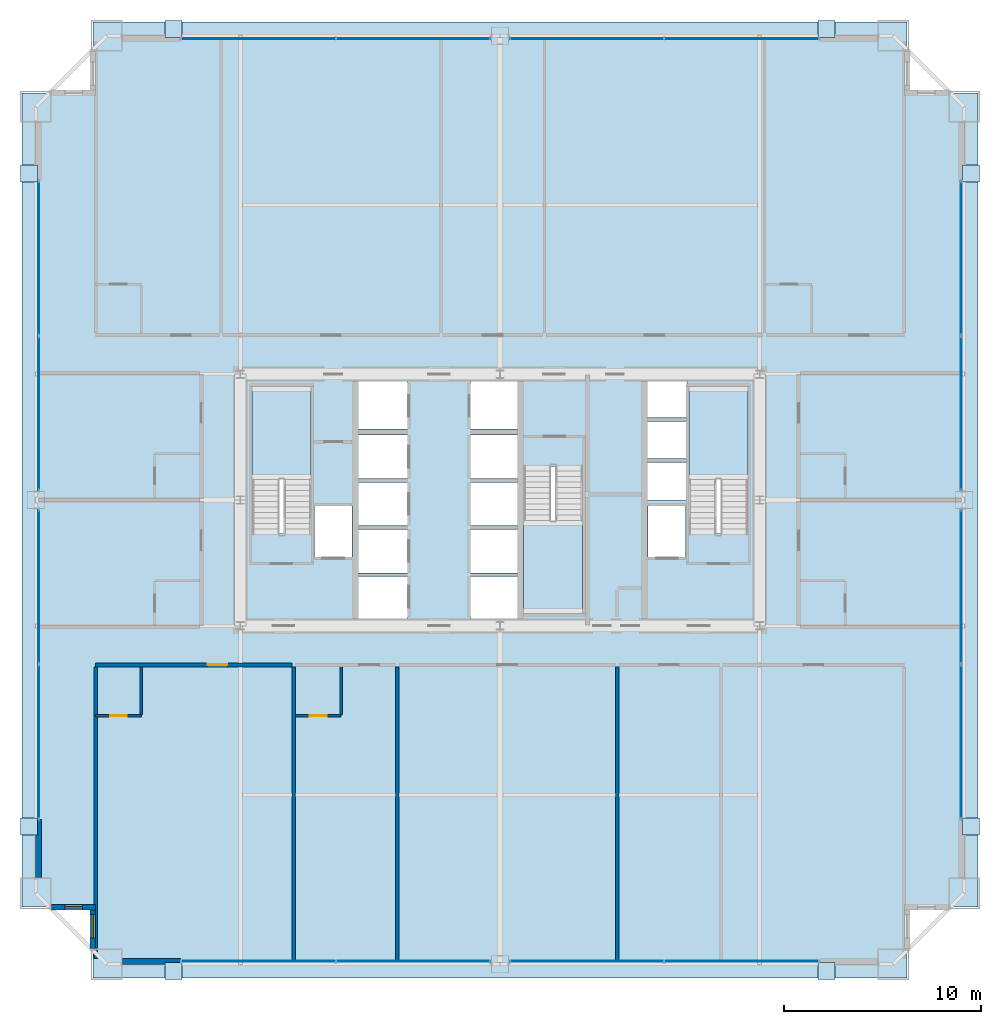
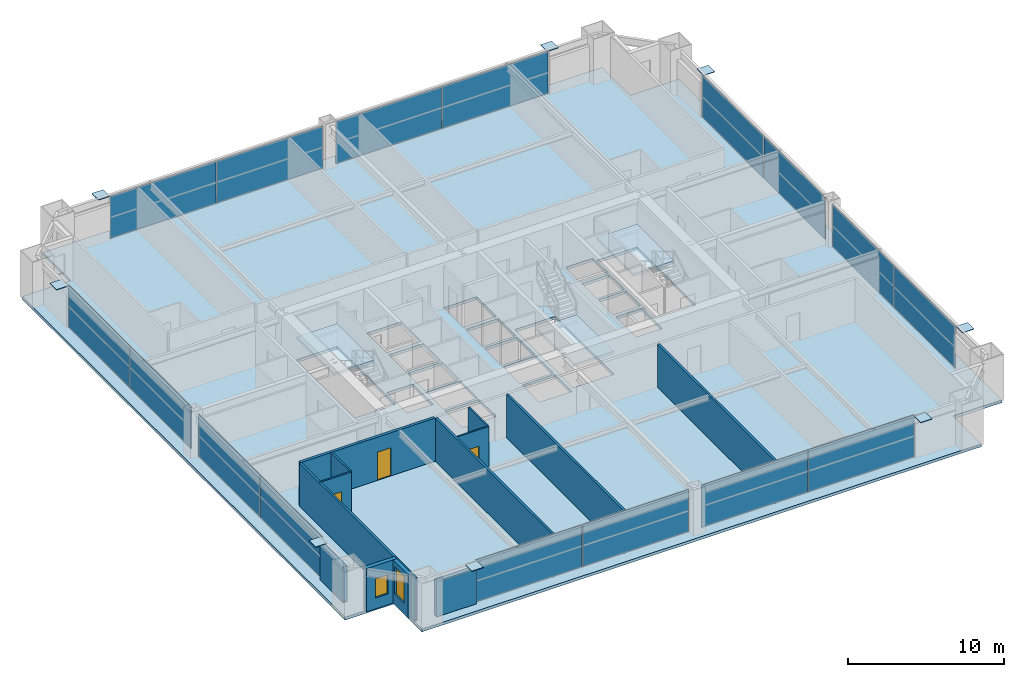
# One storey, part 34 of 39: 24 plates, 13 walls, 4 slabs, 3 doors, 2 windows, 5 openings, 11 elements without a shape of their own.
"""IFC4 building model written with IfcOpenShell, lengths in metres."""

from ifc_helpers import new_model, si_unit, direction, frame, frame_2d, origin, origin_2d, place, context, subcontext, project, spatial, polyline, rectangle, outline, extrude, source, transform, mapped, material, layer, layer_set, type_object, element, fill, aggregate, save


model = new_model("IFC4")

# Units and contexts
model_context = context("Model", 3, precision=1e-05, world=origin(), true_north=direction((0.0, 1.0)))
body_context = subcontext(model_context, "Body", "Model", "MODEL_VIEW")
ifc_project = project(units=[si_unit("LENGTHUNIT", "METRE"), si_unit("AREAUNIT", "SQUARE_METRE"), si_unit("VOLUMEUNIT", "CUBIC_METRE"), si_unit("PLANEANGLEUNIT", "RADIAN"), si_unit("MASSUNIT", "GRAM", prefix="KILO"), si_unit("THERMODYNAMICTEMPERATUREUNIT", "KELVIN"), si_unit("POWERUNIT", "WATT")], contexts=[model_context])

# Site, building, storey
site_placement = place(None, origin())
site = spatial("IfcSite", under=ifc_project, at=site_placement, CompositionType="ELEMENT")
building_placement = place(site_placement, origin())
building = spatial("IfcBuilding", under=site, at=building_placement, Name="Yuzanri Waterfront Tower", CompositionType="ELEMENT")
storey_placement = place(building_placement, frame((0.0, 0.0, 141.60009765625)))
storey = spatial("IfcBuildingStorey", under=building, at=storey_placement, Name="L37", CompositionType="ELEMENT", Elevation=141.60009765625)

# Stair, slab
ifc_material_1 = material(Name="Concrete C40", Category="concrete")
stair_type = type_object("IfcStairType", Name="Concrete C40 Core Dogleg Exit Stair", PredefinedType="HALF_TURN_STAIR", material=ifc_material_1)
stair_1_placement = place(storey_placement, origin())
stair_1 = element("IfcStair", 1, at=stair_1_placement, inside=storey, type_object=stair_type, Name="L37 Smoke-Proof Core Stair ST-01", PredefinedType="HALF_TURN_STAIR")
ifc_material_2 = material(Name="Concrete C40", Category="concrete")
ifc_layer_1 = layer(ifc_material_2, 0.179931640625)
ifc_layer_set_1 = layer_set([ifc_layer_1], Name="Concrete C40")
slab_type_1 = type_object("IfcSlabType", Name="Concrete C40 Stair Half-Landing Slab 180", PredefinedType="LANDING", material=ifc_layer_set_1)
slab_1_placement = place(storey_placement, frame((0.0, 0.0, 1.599853515625)))
slab_1 = element("IfcSlab", 2, at=slab_1_placement, type_object=slab_type_1, Name="ST-01 landing 1", PredefinedType="LANDING", context=body_context, shape_type="SweptSolid", body=[
    extrude(outline(polyline([(27.39990234375, 26.840087890625), (27.39990234375, 31.580078125), (24.39990234375, 31.580078125), (24.39990234375, 26.840087890625), (27.39990234375, 26.840087890625)])), origin(), (0.0, 0.0, 1.0), 0.199951171875),
])
aggregate(stair_1, [slab_1])

stair_2_placement = place(storey_placement, origin())
stair_2 = element("IfcStair", 3, at=stair_2_placement, inside=storey, type_object=stair_type, Name="L37 Smoke-Proof Core Stair ST-02", PredefinedType="HALF_TURN_STAIR")
slab_2_placement = place(storey_placement, frame((0.0, 0.0, 1.599853515625)))
slab_2 = element("IfcSlab", 4, at=slab_2_placement, type_object=slab_type_1, Name="ST-02 landing 1", PredefinedType="LANDING", context=body_context, shape_type="SweptSolid", body=[
    extrude(outline(polyline([(49.60009765625, 26.840087890625), (49.60009765625, 31.580078125), (46.60009765625, 31.580078125), (46.60009765625, 26.840087890625), (49.60009765625, 26.840087890625)])), origin(), (0.0, 0.0, 1.0), 0.199951171875),
])
aggregate(stair_2, [slab_2])

stair_3_placement = place(storey_placement, origin())
stair_3 = element("IfcStair", 5, at=stair_3_placement, inside=storey, type_object=stair_type, Name="L37 Smoke-Proof Core Stair ST-03", PredefinedType="HALF_TURN_STAIR")
slab_3_placement = place(storey_placement, frame((0.0, 0.0, 1.599853515625)))
slab_3 = element("IfcSlab", 6, at=slab_3_placement, type_object=slab_type_1, Name="ST-03 landing 1", PredefinedType="LANDING", context=body_context, shape_type="SweptSolid", body=[
    extrude(outline(polyline([(38.199951171875, 24.760009765625), (38.199951171875, 20.02001953125), (41.199951171875, 20.02001953125), (41.199951171875, 24.760009765625), (38.199951171875, 24.760009765625)])), origin(), (0.0, 0.0, 1.0), 0.199951171875),
])
aggregate(stair_3, [slab_3])

# Slab
ifc_material_3 = material(Name="Concrete C40", Category="concrete")
ifc_layer_2 = layer(ifc_material_3, 0.219970703125)
ifc_layer_set_2 = layer_set([ifc_layer_2], Name="Concrete C40")
slab_type_2 = type_object("IfcSlabType", Name="Concrete C40 Tower Typical Structural Floor Slab 220", PredefinedType="FLOOR", material=ifc_layer_set_2)
slab_4_placement = place(storey_placement, frame((0.0, 0.0, -0.22021484375)))
element("IfcSlab", 7, at=slab_4_placement, inside=storey, type_object=slab_type_2, Name="L37 Main Structural Floor Slab", PredefinedType="FLOOR", context=body_context, shape_type="SweptSolid", body=[
    extrude(outline(polyline([(16.300048828125, 1.5), (57.699951171875, 1.5), (57.699951171875, 5.10009765625), (61.300048828125, 5.10009765625), (61.300048828125, 46.5), (57.699951171875, 46.5), (57.699951171875, 50.10009765625), (16.300048828125, 50.10009765625), (16.300048828125, 46.5), (12.699951171875, 46.5), (12.699951171875, 5.10009765625), (16.300048828125, 5.10009765625), (16.300048828125, 1.5)]), holes=[polyline([(27.39990234375, 24.10009765625), (27.39990234375, 31.580078125), (24.39990234375, 31.580078125), (24.39990234375, 24.10009765625), (27.39990234375, 24.10009765625)]), polyline([(49.60009765625, 24.10009765625), (49.60009765625, 31.580078125), (46.60009765625, 31.580078125), (46.60009765625, 24.10009765625), (49.60009765625, 24.10009765625)]), polyline([(38.199951171875, 27.5), (38.199951171875, 20.02001953125), (41.199951171875, 20.02001953125), (41.199951171875, 27.5), (38.199951171875, 27.5)]), polyline([(27.56005859375, 22.89990234375), (29.47998046875, 22.89990234375), (29.47998046875, 25.5), (27.56005859375, 25.5), (27.56005859375, 22.89990234375)]), polyline([(44.52001953125, 22.89990234375), (46.43994140625, 22.89990234375), (46.43994140625, 25.5), (44.52001953125, 25.5), (44.52001953125, 22.89990234375)]), polyline([(29.800048828125, 19.699951171875), (32.300048828125, 19.699951171875), (32.300048828125, 21.89990234375), (29.800048828125, 21.89990234375), (29.800048828125, 19.699951171875)]), polyline([(29.800048828125, 22.10009765625), (32.300048828125, 22.10009765625), (32.300048828125, 24.300048828125), (29.800048828125, 24.300048828125), (29.800048828125, 22.10009765625)]), polyline([(29.800048828125, 24.5), (32.300048828125, 24.5), (32.300048828125, 26.699951171875), (29.800048828125, 26.699951171875), (29.800048828125, 24.5)]), polyline([(29.800048828125, 26.89990234375), (32.300048828125, 26.89990234375), (32.300048828125, 29.10009765625), (29.800048828125, 29.10009765625), (29.800048828125, 26.89990234375)]), polyline([(29.800048828125, 29.39990234375), (32.300048828125, 29.39990234375), (32.300048828125, 31.89990234375), (29.800048828125, 31.89990234375), (29.800048828125, 29.39990234375)]), polyline([(35.5, 19.699951171875), (37.89990234375, 19.699951171875), (37.89990234375, 21.89990234375), (35.5, 21.89990234375), (35.5, 19.699951171875)]), polyline([(35.5, 22.10009765625), (37.89990234375, 22.10009765625), (37.89990234375, 24.300048828125), (35.5, 24.300048828125), (35.5, 22.10009765625)]), polyline([(35.5, 24.5), (37.89990234375, 24.5), (37.89990234375, 26.699951171875), (35.5, 26.699951171875), (35.5, 24.5)]), polyline([(35.5, 26.89990234375), (37.89990234375, 26.89990234375), (37.89990234375, 29.10009765625), (35.5, 29.10009765625), (35.5, 26.89990234375)]), polyline([(35.5, 29.39990234375), (37.89990234375, 29.39990234375), (37.89990234375, 31.89990234375), (35.5, 31.89990234375), (35.5, 29.39990234375)]), polyline([(44.5, 25.800048828125), (46.5, 25.800048828125), (46.5, 27.699951171875), (44.5, 27.699951171875), (44.5, 25.800048828125)]), polyline([(44.5, 27.89990234375), (46.5, 27.89990234375), (46.5, 29.800048828125), (44.5, 29.800048828125), (44.5, 27.89990234375)]), polyline([(44.5, 30.0), (46.5, 30.0), (46.5, 31.89990234375), (44.5, 31.89990234375), (44.5, 30.0)])]), origin(), (0.0, 0.0, 1.0), 0.22021484375),
])

# Plates
ifc_material_4 = material(Name="Steel Q420GJC", Category="steel")
ifc_layer_3 = layer(ifc_material_4, 0.0400390625)
ifc_layer_set_3 = layer_set([ifc_layer_3], Name="Steel Q420GJC")
plate_type_1 = type_object("IfcPlateType", Name="Steel Q420GJC Mega-Brace Gusset and End-Cap Plate 40", PredefinedType="SHEET", material=ifc_layer_set_3)
shared_shape_1 = source(origin(), body_context, "Body", "SweptSolid", [
    extrude(rectangle(XDim=0.85009765625, YDim=0.85009765625, at=origin_2d()), origin(), (0.0, 0.0, 1.0), 0.0400390625),
])
for number, where, z_axis, x_axis, name in (
    (8, (20.39990234375, 1.860107421875, 3.259765625), (0.0, 0.0, 1.0), (1.0, 0.0, 0.0), "L37 Mega-Brace Apex Cap Plate S-L"),
    (9, (53.60009765625, 1.860107421875, 3.259765625), (0.0, 0.0, 1.0), (1.0, 0.0, 0.0), "L37 Mega-Brace Apex Cap Plate S-R"),
    (10, (20.39990234375, 49.739990234375, 3.259765625), (0.0, 0.0, 1.0), (1.0, 0.0, 0.0), "L37 Mega-Brace Apex Cap Plate N-L"),
    (11, (53.60009765625, 49.739990234375, 3.259765625), (0.0, 0.0, 1.0), (1.0, 0.0, 0.0), "L37 Mega-Brace Apex Cap Plate N-R"),
    (12, (13.06005859375, 9.199951171875, 3.259765625), (0.0, 0.0, 1.0), (1.0, 0.0, 0.0), "L37 Mega-Brace Apex Cap Plate W-L"),
    (13, (13.06005859375, 42.39990234375, 3.259765625), (0.0, 0.0, 1.0), (1.0, 0.0, 0.0), "L37 Mega-Brace Apex Cap Plate W-R"),
    (14, (60.93994140625, 9.199951171875, 3.259765625), (0.0, 0.0, 1.0), (1.0, 0.0, 0.0), "L37 Mega-Brace Apex Cap Plate E-L"),
    (15, (60.93994140625, 42.39990234375, 3.259765625), (0.0, 0.0, 1.0), (1.0, 0.0, 0.0), "L37 Mega-Brace Apex Cap Plate E-R"),
):
    element("IfcPlate", number, at=place(storey_placement, frame(where, z_axis=z_axis, x_axis=x_axis)), inside=storey, type_object=plate_type_1, Name=name, PredefinedType="SHEET", context=body_context, shape_type="MappedRepresentation", body=[
        mapped(shared_shape_1, transform((0.0, 0.0, 0.0), scale=1.0)),
    ])

# Curtain wall, plates
ifc_material_5 = material(Name="Anodized Architectural Bronze", Category="metal")
ifc_layer_4 = layer(ifc_material_5, 0.159912109375)
ifc_layer_set_4 = layer_set([ifc_layer_4], Name="Anodized Architectural Bronze")
curtain_wall_type = type_object("IfcCurtainWallType", Name="Anodized Bronze Hotel Upper-Tier Solar-Control Unitized Curtain Wall 7800", PredefinedType="NOTDEFINED", material=ifc_layer_set_4)
curtain_wall_1_placement = place(storey_placement, origin())
curtain_wall_1 = element("IfcCurtainWall", 16, at=curtain_wall_1_placement, inside=storey, type_object=curtain_wall_type, Name="L37 Curtain Wall CW-L37-SL", PredefinedType="NOTDEFINED")
ifc_material_6 = material(Name="Double-Silver Low-E Insulated Glass", Category="glass")
ifc_layer_5 = layer(ifc_material_6, 0.035888671875)
ifc_layer_set_5 = layer_set([ifc_layer_5], Name="Double-Silver Low-E Insulated Glass")
plate_type_2 = type_object("IfcPlateType", Name="Double Silver Low-E Insulated Vision Glass Panel 36", PredefinedType="CURTAIN_PANEL", material=ifc_layer_set_5)
shared_shape_2 = source(origin(), body_context, "Body", "SweptSolid", [
    extrude(rectangle(XDim=7.820068359375, YDim=0.035888671875, at=origin_2d()), origin(), (0.0, 0.0, 1.0), 3.280029296875),
])
plate_1_placement = place(storey_placement, frame((24.699951171875, 2.35009765625, 0.0498046875), z_axis=(0.0, 0.0, 1.0), x_axis=(1.0, 0.0, 0.0)))
plate_1 = element("IfcPlate", 17, at=plate_1_placement, type_object=plate_type_2, Name="CW-L37-SL Vision Glass Panel 01", PredefinedType="CURTAIN_PANEL", context=body_context, shape_type="MappedRepresentation", body=[
    mapped(shared_shape_2, transform((0.0, 0.0, 0.0), scale=1.0)),
])
plate_2_placement = place(storey_placement, frame((32.60009765625, 2.35009765625, 0.0498046875), z_axis=(0.0, 0.0, 1.0), x_axis=(1.0, 0.0, 0.0)))
plate_2 = element("IfcPlate", 18, at=plate_2_placement, type_object=plate_type_2, Name="CW-L37-SL Vision Glass Panel 02", PredefinedType="CURTAIN_PANEL", context=body_context, shape_type="MappedRepresentation", body=[
    mapped(shared_shape_2, transform((0.0, 0.0, 0.0), scale=1.0)),
])
aggregate(curtain_wall_1, [plate_1, plate_2])

curtain_wall_2_placement = place(storey_placement, origin())
curtain_wall_2 = element("IfcCurtainWall", 19, at=curtain_wall_2_placement, inside=storey, type_object=curtain_wall_type, Name="L37 Curtain Wall CW-L37-SR", PredefinedType="NOTDEFINED")
plate_3_placement = place(storey_placement, frame((41.39990234375, 2.35009765625, 0.0498046875), z_axis=(0.0, 0.0, 1.0), x_axis=(1.0, 0.0, 0.0)))
plate_3 = element("IfcPlate", 20, at=plate_3_placement, type_object=plate_type_2, Name="CW-L37-SR Vision Glass Panel 01", PredefinedType="CURTAIN_PANEL", context=body_context, shape_type="MappedRepresentation", body=[
    mapped(shared_shape_2, transform((0.0, 0.0, 0.0), scale=1.0)),
])
plate_4_placement = place(storey_placement, frame((49.300048828125, 2.35009765625, 0.0498046875), z_axis=(0.0, 0.0, 1.0), x_axis=(1.0, 0.0, 0.0)))
plate_4 = element("IfcPlate", 21, at=plate_4_placement, type_object=plate_type_2, Name="CW-L37-SR Vision Glass Panel 02", PredefinedType="CURTAIN_PANEL", context=body_context, shape_type="MappedRepresentation", body=[
    mapped(shared_shape_2, transform((0.0, 0.0, 0.0), scale=1.0)),
])
aggregate(curtain_wall_2, [plate_3, plate_4])

curtain_wall_3_placement = place(storey_placement, origin())
curtain_wall_3 = element("IfcCurtainWall", 22, at=curtain_wall_3_placement, inside=storey, type_object=curtain_wall_type, Name="L37 Curtain Wall CW-L37-NL", PredefinedType="NOTDEFINED")
plate_5_placement = place(storey_placement, frame((24.699951171875, 49.25, 0.0498046875), z_axis=(0.0, 0.0, 1.0), x_axis=(1.0, 0.0, 0.0)))
plate_5 = element("IfcPlate", 23, at=plate_5_placement, type_object=plate_type_2, Name="CW-L37-NL Vision Glass Panel 01", PredefinedType="CURTAIN_PANEL", context=body_context, shape_type="MappedRepresentation", body=[
    mapped(shared_shape_2, transform((0.0, 0.0, 0.0), scale=1.0)),
])
plate_6_placement = place(storey_placement, frame((32.60009765625, 49.25, 0.0498046875), z_axis=(0.0, 0.0, 1.0), x_axis=(1.0, 0.0, 0.0)))
plate_6 = element("IfcPlate", 24, at=plate_6_placement, type_object=plate_type_2, Name="CW-L37-NL Vision Glass Panel 02", PredefinedType="CURTAIN_PANEL", context=body_context, shape_type="MappedRepresentation", body=[
    mapped(shared_shape_2, transform((0.0, 0.0, 0.0), scale=1.0)),
])
aggregate(curtain_wall_3, [plate_5, plate_6])

curtain_wall_4_placement = place(storey_placement, origin())
curtain_wall_4 = element("IfcCurtainWall", 25, at=curtain_wall_4_placement, inside=storey, type_object=curtain_wall_type, Name="L37 Curtain Wall CW-L37-NR", PredefinedType="NOTDEFINED")
plate_7_placement = place(storey_placement, frame((41.39990234375, 49.25, 0.0498046875), z_axis=(0.0, 0.0, 1.0), x_axis=(1.0, 0.0, 0.0)))
plate_7 = element("IfcPlate", 26, at=plate_7_placement, type_object=plate_type_2, Name="CW-L37-NR Vision Glass Panel 01", PredefinedType="CURTAIN_PANEL", context=body_context, shape_type="MappedRepresentation", body=[
    mapped(shared_shape_2, transform((0.0, 0.0, 0.0), scale=1.0)),
])
plate_8_placement = place(storey_placement, frame((49.300048828125, 49.25, 0.0498046875), z_axis=(0.0, 0.0, 1.0), x_axis=(1.0, 0.0, 0.0)))
plate_8 = element("IfcPlate", 27, at=plate_8_placement, type_object=plate_type_2, Name="CW-L37-NR Vision Glass Panel 02", PredefinedType="CURTAIN_PANEL", context=body_context, shape_type="MappedRepresentation", body=[
    mapped(shared_shape_2, transform((0.0, 0.0, 0.0), scale=1.0)),
])
aggregate(curtain_wall_4, [plate_7, plate_8])

curtain_wall_5_placement = place(storey_placement, origin())
curtain_wall_5 = element("IfcCurtainWall", 28, at=curtain_wall_5_placement, inside=storey, type_object=curtain_wall_type, Name="L37 Curtain Wall CW-L37-WL", PredefinedType="NOTDEFINED")
plate_9_placement = place(storey_placement, frame((13.550048828125, 13.5, 0.0498046875), z_axis=(0.0, 0.0, 1.0), x_axis=(0.0, 1.0, 0.0)))
plate_9 = element("IfcPlate", 29, at=plate_9_placement, type_object=plate_type_2, Name="CW-L37-WL Vision Glass Panel 01", PredefinedType="CURTAIN_PANEL", context=body_context, shape_type="MappedRepresentation", body=[
    mapped(shared_shape_2, transform((0.0, 0.0, 0.0), scale=1.0)),
])
plate_10_placement = place(storey_placement, frame((13.550048828125, 21.39990234375, 0.0498046875), z_axis=(0.0, 0.0, 1.0), x_axis=(0.0, 1.0, 0.0)))
plate_10 = element("IfcPlate", 30, at=plate_10_placement, type_object=plate_type_2, Name="CW-L37-WL Vision Glass Panel 02", PredefinedType="CURTAIN_PANEL", context=body_context, shape_type="MappedRepresentation", body=[
    mapped(shared_shape_2, transform((0.0, 0.0, 0.0), scale=1.0)),
])
aggregate(curtain_wall_5, [plate_9, plate_10])

curtain_wall_6_placement = place(storey_placement, origin())
curtain_wall_6 = element("IfcCurtainWall", 31, at=curtain_wall_6_placement, inside=storey, type_object=curtain_wall_type, Name="L37 Curtain Wall CW-L37-WR", PredefinedType="NOTDEFINED")
plate_11_placement = place(storey_placement, frame((13.550048828125, 30.199951171875, 0.0498046875), z_axis=(0.0, 0.0, 1.0), x_axis=(0.0, 1.0, 0.0)))
plate_11 = element("IfcPlate", 32, at=plate_11_placement, type_object=plate_type_2, Name="CW-L37-WR Vision Glass Panel 01", PredefinedType="CURTAIN_PANEL", context=body_context, shape_type="MappedRepresentation", body=[
    mapped(shared_shape_2, transform((0.0, 0.0, 0.0), scale=1.0)),
])
plate_12_placement = place(storey_placement, frame((13.550048828125, 38.10009765625, 0.0498046875), z_axis=(0.0, 0.0, 1.0), x_axis=(0.0, 1.0, 0.0)))
plate_12 = element("IfcPlate", 33, at=plate_12_placement, type_object=plate_type_2, Name="CW-L37-WR Vision Glass Panel 02", PredefinedType="CURTAIN_PANEL", context=body_context, shape_type="MappedRepresentation", body=[
    mapped(shared_shape_2, transform((0.0, 0.0, 0.0), scale=1.0)),
])
aggregate(curtain_wall_6, [plate_11, plate_12])

curtain_wall_7_placement = place(storey_placement, origin())
curtain_wall_7 = element("IfcCurtainWall", 34, at=curtain_wall_7_placement, inside=storey, type_object=curtain_wall_type, Name="L37 Curtain Wall CW-L37-EL", PredefinedType="NOTDEFINED")
plate_13_placement = place(storey_placement, frame((60.449951171875, 13.5, 0.0498046875), z_axis=(0.0, 0.0, 1.0), x_axis=(0.0, 1.0, 0.0)))
plate_13 = element("IfcPlate", 35, at=plate_13_placement, type_object=plate_type_2, Name="CW-L37-EL Vision Glass Panel 01", PredefinedType="CURTAIN_PANEL", context=body_context, shape_type="MappedRepresentation", body=[
    mapped(shared_shape_2, transform((0.0, 0.0, 0.0), scale=1.0)),
])
plate_14_placement = place(storey_placement, frame((60.449951171875, 21.39990234375, 0.0498046875), z_axis=(0.0, 0.0, 1.0), x_axis=(0.0, 1.0, 0.0)))
plate_14 = element("IfcPlate", 36, at=plate_14_placement, type_object=plate_type_2, Name="CW-L37-EL Vision Glass Panel 02", PredefinedType="CURTAIN_PANEL", context=body_context, shape_type="MappedRepresentation", body=[
    mapped(shared_shape_2, transform((0.0, 0.0, 0.0), scale=1.0)),
])
aggregate(curtain_wall_7, [plate_13, plate_14])

curtain_wall_8_placement = place(storey_placement, origin())
curtain_wall_8 = element("IfcCurtainWall", 37, at=curtain_wall_8_placement, inside=storey, type_object=curtain_wall_type, Name="L37 Curtain Wall CW-L37-ER", PredefinedType="NOTDEFINED")
plate_15_placement = place(storey_placement, frame((60.449951171875, 30.199951171875, 0.0498046875), z_axis=(0.0, 0.0, 1.0), x_axis=(0.0, 1.0, 0.0)))
plate_15 = element("IfcPlate", 38, at=plate_15_placement, type_object=plate_type_2, Name="CW-L37-ER Vision Glass Panel 01", PredefinedType="CURTAIN_PANEL", context=body_context, shape_type="MappedRepresentation", body=[
    mapped(shared_shape_2, transform((0.0, 0.0, 0.0), scale=1.0)),
])
plate_16_placement = place(storey_placement, frame((60.449951171875, 38.10009765625, 0.0498046875), z_axis=(0.0, 0.0, 1.0), x_axis=(0.0, 1.0, 0.0)))
plate_16 = element("IfcPlate", 39, at=plate_16_placement, type_object=plate_type_2, Name="CW-L37-ER Vision Glass Panel 02", PredefinedType="CURTAIN_PANEL", context=body_context, shape_type="MappedRepresentation", body=[
    mapped(shared_shape_2, transform((0.0, 0.0, 0.0), scale=1.0)),
])
aggregate(curtain_wall_8, [plate_15, plate_16])

# Wall, opening, door
ifc_material_7 = material(Name="Moisture-Resistant Gypsum Stud Wall", Category="gypsum")
ifc_layer_6 = layer(ifc_material_7, 0.1201171875)
ifc_layer_set_6 = layer_set([ifc_layer_6], Name="Moisture-Resistant Gypsum Stud Wall")
wall_type_1 = type_object("IfcWallType", Name="Bathroom and Kitchen Wet Partition 120", PredefinedType="PARTITIONING", material=ifc_layer_set_6)
wall_1_placement = place(storey_placement, frame((16.43994140625, 14.840087890625, 0.0), z_axis=(0.0, 0.0, 1.0), x_axis=(1.0, 0.0, 0.0)))
wall_1 = element("IfcWall", 40, at=wall_1_placement, inside=storey, type_object=wall_type_1, Name="L37 Partition UW-L37-S1-BS", PredefinedType="PARTITIONING", context=body_context, shape_type="SweptSolid", body=[
    extrude(rectangle(XDim=2.330078125, YDim=0.1201171875, at=frame_2d((1.1650390625, 0.0))), origin(), (0.0, 0.0, 1.0), 3.3798828125),
])
opening_1_placement = place(wall_1_placement, frame((0.739990234375, 0.0, 0.0)))
opening_1 = element("IfcOpeningElement", 41, at=opening_1_placement, cuts=wall_1, Name="Opening ID-0850", PredefinedType="OPENING", context=body_context, shape_type="SweptSolid", body=[
    extrude(rectangle(XDim=0.85009765625, YDim=2.10009765625, at=frame_2d((0.425048828125, 1.050048828125))), frame((0.0, 0.074951171875, 0.0), z_axis=(0.0, -1.0, 0.0), x_axis=(1.0, 0.0, 0.0)), (0.0, 0.0, 1.0), 0.14990234375),
])
ifc_material_8 = material(Name="Moisture-Resistant Lacquered Timber", Category="wood")
door_type_1 = type_object("IfcDoorType", Name="En-Suite Bathroom and Kitchen Swing Door 850x2100", OperationType="NOTDEFINED", PredefinedType="DOOR", material=ifc_material_8)
shared_shape_3 = source(origin(), body_context, "Body", "SweptSolid", [
    extrude(rectangle(XDim=0.85009765625, YDim=2.10009765625, at=frame_2d((0.425048828125, 1.050048828125))), frame((0.0, 0.02490234375, 0.0), z_axis=(0.0, -1.0, 0.0), x_axis=(1.0, 0.0, 0.0)), (0.0, 0.0, 1.0), 0.050048828125),
])
door_1_placement = place(opening_1_placement, origin())
door_1 = element("IfcDoor", 42, at=door_1_placement, inside=storey, type_object=door_type_1, Name="L37 Guest En-Suite Door", OperationType="SINGLE_SWING_RIGHT", OverallHeight=2.10009765625, OverallWidth=0.85009765625, PredefinedType="DOOR", context=body_context, shape_type="MappedRepresentation", body=[
    mapped(shared_shape_3, transform((0.0, 0.0, 0.0), scale=1.0)),
])
fill(opening_1, door_1)

wall_2_placement = place(storey_placement, frame((26.593994140625, 14.840087890625, 0.0), z_axis=(0.0, 0.0, 1.0), x_axis=(1.0, 0.0, 0.0)))
wall_2 = element("IfcWall", 43, at=wall_2_placement, inside=storey, type_object=wall_type_1, Name="L37 Partition UW-L37-S2-BS", PredefinedType="PARTITIONING", context=body_context, shape_type="SweptSolid", body=[
    extrude(rectangle(XDim=2.330078125, YDim=0.1201171875, at=frame_2d((1.1650390625, 0.0))), origin(), (0.0, 0.0, 1.0), 3.3798828125),
])
opening_2_placement = place(wall_2_placement, frame((0.739990234375, 0.0, 0.0)))
opening_2 = element("IfcOpeningElement", 44, at=opening_2_placement, cuts=wall_2, Name="Opening ID-0850", PredefinedType="OPENING", context=body_context, shape_type="SweptSolid", body=[
    extrude(rectangle(XDim=0.85009765625, YDim=2.10009765625, at=frame_2d((0.425048828125, 1.050048828125))), frame((0.0, 0.074951171875, 0.0), z_axis=(0.0, -1.0, 0.0), x_axis=(1.0, 0.0, 0.0)), (0.0, 0.0, 1.0), 0.14990234375),
])
door_2_placement = place(opening_2_placement, origin())
door_2 = element("IfcDoor", 45, at=door_2_placement, inside=storey, type_object=door_type_1, Name="L37 Guest En-Suite Door", OperationType="SINGLE_SWING_RIGHT", OverallHeight=2.10009765625, OverallWidth=0.85009765625, PredefinedType="DOOR", context=body_context, shape_type="MappedRepresentation", body=[
    mapped(shared_shape_3, transform((0.0, 0.0, 0.0), scale=1.0)),
])
fill(opening_2, door_2)

# Wall, opening, window
ifc_material_9 = material(Name="Honed Chongqing Dark Basalt Stone", Category="masonry")
ifc_layer_7 = layer(ifc_material_9, 0.300048828125)
ifc_layer_set_7 = layer_set([ifc_layer_7], Name="Honed Chongqing Dark Basalt Stone")
wall_type_2 = type_object("IfcWallType", Name="Bronze Rainscreen Insulated Spandrel Portal Wall 300", PredefinedType="SOLIDWALL", material=ifc_layer_set_7)
wall_3_placement = place(storey_placement, frame((14.199951171875, 5.10009765625, 0.0), z_axis=(0.0, 0.0, 1.0), x_axis=(1.0, 0.0, 0.0)))
wall_3 = element("IfcWall", 46, at=wall_3_placement, inside=storey, type_object=wall_type_2, Name="L37 Notched Corner Masonry Wall SW-X", PredefinedType="SOLIDWALL", context=body_context, shape_type="SweptSolid", body=[
    extrude(rectangle(XDim=2.25, YDim=0.300048828125, at=frame_2d((1.125, 0.0))), origin(), (0.0, 0.0, 1.0), 3.3798828125),
])
opening_3_placement = place(wall_3_placement, frame((0.675048828125, 0.0, 0.85009765625)))
opening_3 = element("IfcOpeningElement", 47, at=opening_3_placement, cuts=wall_3, Name="Opening WN-05", PredefinedType="OPENING", context=body_context, shape_type="SweptSolid", body=[
    extrude(rectangle(XDim=0.89990234375, YDim=1.5, at=frame_2d((0.449951171875, 0.75))), frame((0.0, 0.1650390625, 0.0), z_axis=(0.0, -1.0, 0.0), x_axis=(1.0, 0.0, 0.0)), (0.0, 0.0, 1.0), 0.329833984375),
])
ifc_material_10 = material(Name="Double-Silver Low-E Insulated Glass", Category="glass")
window_type_1 = type_object("IfcWindowType", Name="Anodized Bronze Service and Stairwell Smoke-Vent Window 900x1500", PartitioningType="SINGLE_PANEL", PredefinedType="WINDOW", material=ifc_material_10)
shared_shape_4 = source(origin(), body_context, "Body", "SweptSolid", [
    extrude(rectangle(XDim=0.89990234375, YDim=1.5, at=frame_2d((0.449951171875, 0.75))), frame((0.0, 0.030029296875, 0.0), z_axis=(0.0, -1.0, 0.0), x_axis=(1.0, 0.0, 0.0)), (0.0, 0.0, 1.0), 0.06005859375),
])
window_1_placement = place(opening_3_placement, origin())
window_1 = element("IfcWindow", 48, at=window_1_placement, inside=storey, type_object=window_type_1, Name="L37 Notched Corner Window SW-X", OverallHeight=1.5, OverallWidth=0.89990234375, PartitioningType="SINGLE_PANEL", PredefinedType="WINDOW", context=body_context, shape_type="MappedRepresentation", body=[
    mapped(shared_shape_4, transform((0.0, 0.0, 0.0), scale=1.0)),
])
fill(opening_3, window_1)

wall_4_placement = place(storey_placement, frame((16.300048828125, 5.25, 0.0), z_axis=(0.0, 0.0, 1.0), x_axis=(0.0, -1.0, 0.0)))
wall_4 = element("IfcWall", 49, at=wall_4_placement, inside=storey, type_object=wall_type_2, Name="L37 Notched Corner Masonry Wall SW-Y", PredefinedType="SOLIDWALL", context=body_context, shape_type="SweptSolid", body=[
    extrude(rectangle(XDim=2.25, YDim=0.300048828125, at=frame_2d((1.125, 0.0))), origin(), (0.0, 0.0, 1.0), 3.3798828125),
])
opening_4_placement = place(wall_4_placement, frame((0.52490234375, 0.0, 0.85009765625)))
opening_4 = element("IfcOpeningElement", 50, at=opening_4_placement, cuts=wall_4, Name="Opening WN-02", PredefinedType="OPENING", context=body_context, shape_type="SweptSolid", body=[
    extrude(rectangle(XDim=1.199951171875, YDim=2.10009765625, at=frame_2d((0.60009765625, 1.050048828125))), frame((0.0, 0.1650390625, 0.0), z_axis=(0.0, -1.0, 0.0), x_axis=(1.0, 0.0, 0.0)), (0.0, 0.0, 1.0), 0.329833984375),
])
ifc_material_11 = material(Name="Double-Silver Low-E Insulated Glass", Category="glass")
window_type_2 = type_object("IfcWindowType", Name="Anodized Bronze Notched Corner Deep-Set Slot Window 1200x2100", PartitioningType="SINGLE_PANEL", PredefinedType="WINDOW", material=ifc_material_11)
shared_shape_5 = source(origin(), body_context, "Body", "SweptSolid", [
    extrude(rectangle(XDim=1.199951171875, YDim=2.10009765625, at=frame_2d((0.60009765625, 1.050048828125))), frame((0.0, 0.030029296875, 0.0), z_axis=(0.0, -1.0, 0.0), x_axis=(1.0, 0.0, 0.0)), (0.0, 0.0, 1.0), 0.06005859375),
])
window_2_placement = place(opening_4_placement, origin())
window_2 = element("IfcWindow", 51, at=window_2_placement, inside=storey, type_object=window_type_2, Name="L37 Notched Corner Window SW-Y", OverallHeight=2.10009765625, OverallWidth=1.199951171875, PartitioningType="SINGLE_PANEL", PredefinedType="WINDOW", context=body_context, shape_type="MappedRepresentation", body=[
    mapped(shared_shape_5, transform((0.0, 0.0, 0.0), scale=1.0)),
])
fill(opening_4, window_2)

# Wall, opening, door
ifc_material_12 = material(Name="Autoclaved Aerated Concrete Blockwork", Category="masonry")
ifc_layer_8 = layer(ifc_material_12, 0.199951171875)
ifc_layer_set_8 = layer_set([ifc_layer_8], Name="Autoclaved Aerated Concrete Blockwork")
wall_type_3 = type_object("IfcWallType", Name="Corridor and Unit Party Fire Wall 200", PredefinedType="PARTITIONING", material=ifc_layer_set_8)
wall_5_placement = place(storey_placement, frame((16.43994140625, 17.419921875, 0.0), z_axis=(0.0, 0.0, 1.0), x_axis=(1.0, 0.0, 0.0)))
wall_5 = element("IfcWall", 52, at=wall_5_placement, inside=storey, type_object=wall_type_3, Name="L37 Partition UW-L37-S1-CN", PredefinedType="PARTITIONING", context=body_context, shape_type="SweptSolid", body=[
    extrude(rectangle(XDim=9.994140625, YDim=0.199951171875, at=frame_2d((4.9970703125, 0.0))), origin(), (0.0, 0.0, 1.0), 3.3798828125),
])
opening_5_placement = place(wall_5_placement, frame((5.701904296875, 0.0, 0.0)))
opening_5 = element("IfcOpeningElement", 53, at=opening_5_placement, cuts=wall_5, Name="Opening FD-1000", PredefinedType="OPENING", context=body_context, shape_type="SweptSolid", body=[
    extrude(rectangle(XDim=1.0, YDim=2.199951171875, at=frame_2d((0.5, 1.10009765625))), frame((0.0, 0.11474609375, 0.0), z_axis=(0.0, -1.0, 0.0), x_axis=(1.0, 0.0, 0.0)), (0.0, 0.0, 1.0), 0.229736328125),
])
ifc_material_13 = material(Name="Engineered Oak Fire-Rated Timber", Category="wood")
door_type_2 = type_object("IfcDoorType", Name="Guestroom and Apartment Entrance Fire Door 1000x2200", OperationType="NOTDEFINED", PredefinedType="DOOR", material=ifc_material_13)
shared_shape_6 = source(origin(), body_context, "Body", "SweptSolid", [
    extrude(rectangle(XDim=1.0, YDim=2.199951171875, at=frame_2d((0.5, 1.10009765625))), frame((0.0, 0.02490234375, 0.0), z_axis=(0.0, -1.0, 0.0), x_axis=(1.0, 0.0, 0.0)), (0.0, 0.0, 1.0), 0.050048828125),
])
door_3_placement = place(opening_5_placement, origin())
door_3 = element("IfcDoor", 54, at=door_3_placement, inside=storey, type_object=door_type_2, Name="L37 Junior Suite Entrance Door", OperationType="SINGLE_SWING_LEFT", OverallHeight=2.199951171875, OverallWidth=1.0, PredefinedType="DOOR", context=body_context, shape_type="MappedRepresentation", body=[
    mapped(shared_shape_6, transform((0.0, 0.0, 0.0), scale=1.0)),
])
fill(opening_5, door_3)

# Walls
shared_shape_7 = source(origin(), body_context, "Body", "SweptSolid", [
    extrude(rectangle(XDim=2.949951171875, YDim=0.300048828125, at=frame_2d((1.47509765625, 0.0))), origin(), (0.0, 0.0, 1.0), 2.77490234375),
])
for number, where, z_axis, x_axis, name in (
    (55, (17.800048828125, 2.35009765625, 0.0), (0.0, 0.0, 1.0), (1.0, 0.0, 0.0), "L37 S Left Braced Masonry Shoulder"),
    (56, (13.550048828125, 6.60009765625, 0.0), (0.0, 0.0, 1.0), (0.0, 1.0, 0.0), "L37 W Left Braced Masonry Shoulder"),
):
    element("IfcWall", number, at=place(storey_placement, frame(where, z_axis=z_axis, x_axis=x_axis)), inside=storey, type_object=wall_type_2, Name=name, PredefinedType="SOLIDWALL", context=body_context, shape_type="MappedRepresentation", body=[
        mapped(shared_shape_7, transform((0.0, 0.0, 0.0), scale=1.0)),
    ])
shared_shape_8 = source(origin(), body_context, "Body", "SweptSolid", [
    extrude(rectangle(XDim=2.420166015625, YDim=0.1201171875, at=frame_2d((1.2099609375, 0.0))), origin(), (0.0, 0.0, 1.0), 3.3798828125),
])
for number, where, z_axis, x_axis, name in (
    (57, (18.77001953125, 14.89990234375, 0.0), (0.0, 0.0, 1.0), (0.0, 1.0, 0.0), "L37-S1 En-Suite Side Wall"),
    (58, (28.924072265625, 14.89990234375, 0.0), (0.0, 0.0, 1.0), (0.0, 1.0, 0.0), "L37-S2 En-Suite Side Wall"),
):
    element("IfcWall", number, at=place(storey_placement, frame(where, z_axis=z_axis, x_axis=x_axis)), inside=storey, type_object=wall_type_1, Name=name, PredefinedType="PARTITIONING", context=body_context, shape_type="MappedRepresentation", body=[
        mapped(shared_shape_8, transform((0.0, 0.0, 0.0), scale=1.0)),
    ])
ifc_material_14 = material(Name="Gypsum Fireboard Acoustic Stud Wall", Category="gypsum")
ifc_layer_9 = layer(ifc_material_14, 0.159912109375)
ifc_layer_set_9 = layer_set([ifc_layer_9], Name="Gypsum Fireboard Acoustic Stud Wall")
wall_type_4 = type_object("IfcWallType", Name="Acoustic Suite Demising Partition 160", PredefinedType="PARTITIONING", material=ifc_layer_set_9)
shared_shape_9 = source(origin(), body_context, "Body", "SweptSolid", [
    extrude(rectangle(XDim=14.969970703125, YDim=0.159912109375, at=frame_2d((7.48486328125, 0.0))), origin(), (0.0, 0.0, 1.0), 3.3798828125),
])
for number, where, z_axis, x_axis, name in (
    (59, (26.513916015625, 2.35009765625, 0.0), (0.0, 0.0, 1.0), (0.0, 1.0, 0.0), "L37-S1 Party Wall"),
    (60, (31.778076171875, 2.35009765625, 0.0), (0.0, 0.0, 1.0), (0.0, 1.0, 0.0), "L37-S2 Party Wall"),
    (61, (42.9619140625, 2.35009765625, 0.0), (0.0, 0.0, 1.0), (0.0, 1.0, 0.0), "L37-S3 Party Wall"),
):
    element("IfcWall", number, at=place(storey_placement, frame(where, z_axis=z_axis, x_axis=x_axis)), inside=storey, type_object=wall_type_4, Name=name, PredefinedType="PARTITIONING", context=body_context, shape_type="MappedRepresentation", body=[
        mapped(shared_shape_9, transform((0.0, 0.0, 0.0), scale=1.0)),
    ])
shared_shape_10 = source(origin(), body_context, "Body", "SweptSolid", [
    extrude(rectangle(XDim=14.820068359375, YDim=0.159912109375, at=frame_2d((7.41015625, 0.0))), origin(), (0.0, 0.0, 1.0), 3.3798828125),
])
wall_6_placement = place(storey_placement, frame((16.449951171875, 2.5, 0.0), z_axis=(0.0, 0.0, 1.0), x_axis=(0.0, 1.0, 0.0)))
element("IfcWall", 62, at=wall_6_placement, inside=storey, type_object=wall_type_4, Name="L37 South Band West End Wall", PredefinedType="PARTITIONING", context=body_context, shape_type="MappedRepresentation", body=[
    mapped(shared_shape_10, transform((0.0, 0.0, 0.0), scale=1.0)),
])

save(model, "model.ifc")
